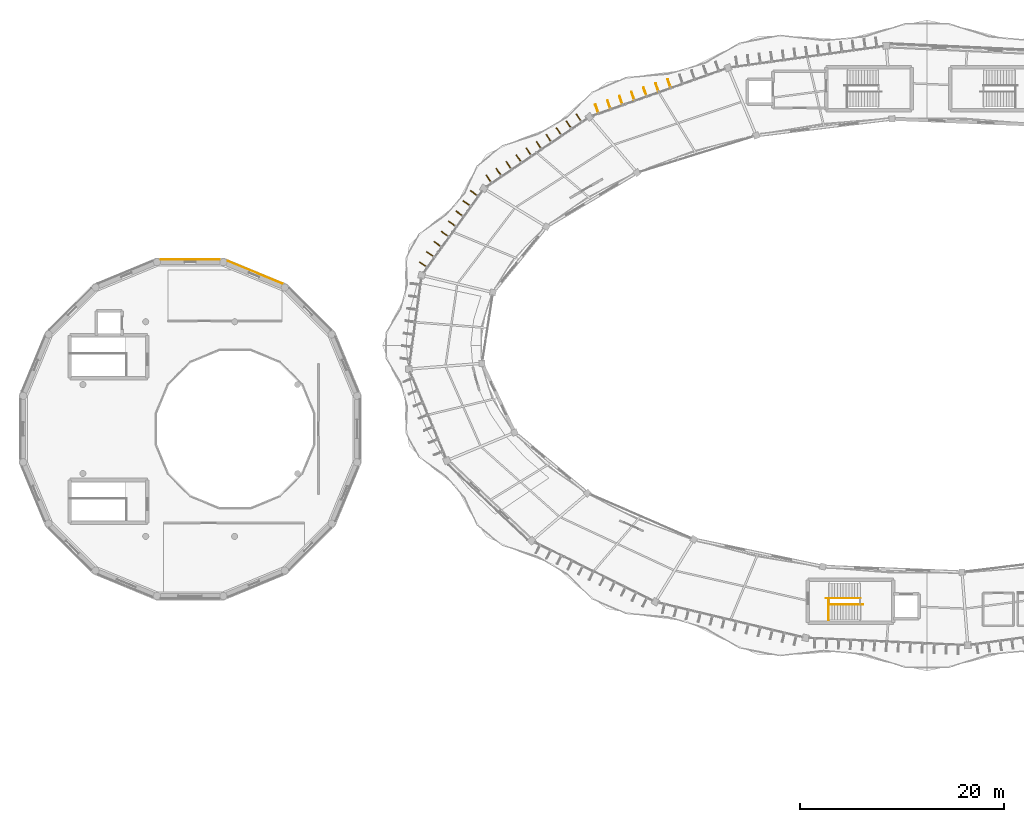
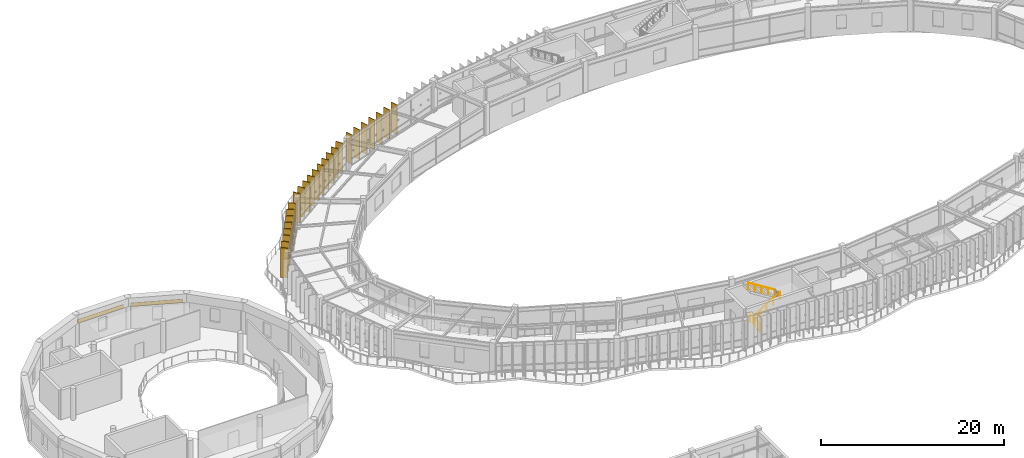
# One storey, part 109 of 114: 25 shading devices, 3 railings, 2 coverings.
"""IFC4 building model written with IfcOpenShell, lengths in metres."""

from ifc_helpers import new_model, si_unit, direction, frame, origin, origin_2d, place, context, subcontext, project, spatial, polyline, rectangle, circle, outline, extrude, material, layer, layer_set, type_object, element, save


model = new_model("IFC4")

# Units and contexts
model_context = context("Model", 3, precision=1e-05, world=origin(), true_north=direction((0.0, 1.0)))
body_context = subcontext(model_context, "Body", "Model", "MODEL_VIEW")
ifc_project = project(units=[si_unit("LENGTHUNIT", "METRE"), si_unit("AREAUNIT", "SQUARE_METRE"), si_unit("VOLUMEUNIT", "CUBIC_METRE"), si_unit("PLANEANGLEUNIT", "RADIAN"), si_unit("MASSUNIT", "GRAM", prefix="KILO"), si_unit("THERMODYNAMICTEMPERATUREUNIT", "KELVIN"), si_unit("POWERUNIT", "WATT")], contexts=[model_context])

# Site, building, storey
site_placement = place(None, origin())
site = spatial("IfcSite", under=ifc_project, at=site_placement, CompositionType="ELEMENT")
building_placement = place(site_placement, origin())
building = spatial("IfcBuilding", under=site, at=building_placement, Name="Darbajah Civic Hall", CompositionType="ELEMENT")
storey_placement = place(building_placement, frame((0.0, 0.0, 13.800048828125)))
storey = spatial("IfcBuildingStorey", under=building, at=storey_placement, Name="L03", CompositionType="ELEMENT", Elevation=13.800048828125)

# Railings
ifc_material_1 = material(Name="Brushed Bronze Stainless Steel", Category="steel")
railing_type_1 = type_object("IfcRailingType", Name="Brushed Bronze Handrail", PredefinedType="HANDRAIL", material=ifc_material_1)
railing_1_placement = place(storey_placement, frame((79.47998046875, 64.39990234375, 0.175048828125)))
element("IfcRailing", 1, at=railing_1_placement, inside=storey, type_object=railing_type_1, Name="ST03 L03 lower flight handrail", PredefinedType="HANDRAIL", context=body_context, shape_type="SweptSolid", body=[
    extrude(circle(Radius=0.02392578125, at=origin_2d()), frame((0.023193359375, 0.0, 0.910400390625), z_axis=(0.845972016735, 0.0, 0.533227293844), x_axis=(0.0, 1.0, 0.0)), (0.0, 0.0, 1.0), 3.917236328125),
    extrude(circle(Radius=0.02099609375, at=origin_2d()), origin(), (0.0, 0.0, 1.0), 0.867919921875),
    extrude(circle(Radius=0.02099609375, at=origin_2d()), frame((0.840087890625, 0.0, 0.529541015625)), (0.0, 0.0, 1.0), 0.867919921875),
    extrude(circle(Radius=0.02099609375, at=origin_2d()), frame((1.68017578125, 0.0, 1.05908203125)), (0.0, 0.0, 1.0), 0.867919921875),
    extrude(circle(Radius=0.02099609375, at=origin_2d()), frame((2.52001953125, 0.0, 1.58837890625)), (0.0, 0.0, 1.0), 0.867919921875),
    extrude(circle(Radius=0.02099609375, at=origin_2d()), frame((3.360107421875, 0.0, 2.117919921875)), (0.0, 0.0, 1.0), 0.867919921875),
])
railing_2_placement = place(storey_placement, frame((82.56005859375, 65.0, 2.27490234375)))
element("IfcRailing", 2, at=railing_2_placement, inside=storey, type_object=railing_type_1, Name="ST03 L03 upper flight handrail", PredefinedType="HANDRAIL", context=body_context, shape_type="SweptSolid", body=[
    extrude(circle(Radius=0.02392578125, at=origin_2d()), frame((-0.023193359375, 0.0, 0.910400390625), z_axis=(-0.845944288966, 0.0, 0.533271281775), x_axis=(0.0, -1.0, 0.0)), (0.0, 0.0, 1.0), 3.91748046875),
    extrude(circle(Radius=0.02099609375, at=origin_2d()), origin(), (0.0, 0.0, 1.0), 0.867919921875),
    extrude(circle(Radius=0.02099609375, at=origin_2d()), frame((-0.840087890625, 0.0, 0.529541015625)), (0.0, 0.0, 1.0), 0.867919921875),
    extrude(circle(Radius=0.02099609375, at=origin_2d()), frame((-1.68017578125, 0.0, 1.05908203125)), (0.0, 0.0, 1.0), 0.867919921875),
    extrude(circle(Radius=0.02099609375, at=origin_2d()), frame((-2.52001953125, 0.0, 1.588623046875)), (0.0, 0.0, 1.0), 0.867919921875),
    extrude(circle(Radius=0.02099609375, at=origin_2d()), frame((-3.360107421875, 0.0, 2.1181640625)), (0.0, 0.0, 1.0), 0.867919921875),
])
ifc_material_2 = material(Name="Brushed Bronze and Laminated Safety Glass", Category="glass")
railing_type_2 = type_object("IfcRailingType", Name="Interior Guard Balustrade", PredefinedType="BALUSTRADE", material=ifc_material_2)
railing_3_placement = place(storey_placement, frame((79.429931640625, 62.85009765625, 0.0)))
element("IfcRailing", 3, at=railing_3_placement, inside=storey, type_object=railing_type_2, Name="ST03 L03 stair-well edge guard", PredefinedType="BALUSTRADE", context=body_context, shape_type="SweptSolid", body=[
    extrude(circle(Radius=0.02392578125, at=origin_2d()), frame((0.0, 0.02734375, 1.09619140625), z_axis=(0.0, 1.0, 0.0), x_axis=(-1.0, 0.0, 0.0)), (0.0, 0.0, 1.0), 2.09521484375),
    extrude(circle(Radius=0.02099609375, at=origin_2d()), origin(), (0.0, 0.0, 1.0), 1.068115234375),
    extrude(circle(Radius=0.02099609375, at=origin_2d()), frame((0.0, 1.074951171875, 0.0)), (0.0, 0.0, 1.0), 1.068115234375),
    extrude(circle(Radius=0.02099609375, at=origin_2d()), frame((0.0, 2.14990234375, 0.0)), (0.0, 0.0, 1.0), 1.068115234375),
])

# Coverings
ifc_material_3 = material(Name="Qatari Desert Limestone Ashlar", Category="masonry")
ifc_layer = layer(ifc_material_3, 0.044921875, Name="Qatari Desert Limestone Ashlar")
ifc_layer_set = layer_set([ifc_layer], Name="Qatari Desert Limestone Ashlar")
covering_type = type_object("IfcCoveringType", Name="Limestone Facade Cladding", PredefinedType="CLADDING", material=ifc_layer_set)
covering_1_placement = place(storey_placement, frame((0.0, 0.0, 2.599853515625)))
element("IfcCovering", 4, at=covering_1_placement, inside=storey, type_object=covering_type, Name="L03 stone frieze cladding EW-V2-L03-02", PredefinedType="CLADDING", context=body_context, shape_type="SweptSolid", body=[
    extrude(outline(polyline([(25.84521484375, 95.8427734375), (20.47509765625, 98.06689453125), (20.492431640625, 98.108642578125), (25.8623046875, 95.88427734375), (25.84521484375, 95.8427734375)])), origin(), (0.0, 0.0, 1.0), 0.5),
])
covering_2_placement = place(storey_placement, frame((0.0, 0.0, 2.599853515625)))
element("IfcCovering", 5, at=covering_2_placement, inside=storey, type_object=covering_type, Name="L03 stone frieze cladding EW-V2-L03-03", PredefinedType="CLADDING", context=body_context, shape_type="SweptSolid", body=[
    extrude(outline(polyline([(19.706298828125, 98.219970703125), (13.893798828125, 98.219970703125), (13.893798828125, 98.264892578125), (19.706298828125, 98.264892578125), (19.706298828125, 98.219970703125)])), origin(), (0.0, 0.0, 1.0), 0.5),
])

# Shading devices
ifc_material_4 = material(Name="Bronze Anodised Aluminium and Teak Composite", Category="aluminium")
shading_device_type = type_object("IfcShadingDeviceType", Name="Vertical Bronze Timber Shading Fin", PredefinedType="USERDEFINED", material=ifc_material_4)
for number, where, z_axis, x_axis, name in (
    (6, (63.797607421875, 115.52392578125, 0.0), (0.0, 0.0, 1.0), (-0.334135882844, 0.94252491309, 0.0), "L03 vertical shading fin VF-06-5"),
    (7, (62.6083984375, 115.128662109375, 0.0), (0.0, 0.0, 1.0), (-0.334135882844, 0.94252491309, 0.0), "L03 vertical shading fin VF-06-6"),
    (8, (61.427734375, 114.710205078125, 0.0), (0.0, 0.0, 1.0), (-0.334135882844, 0.94252491309, 0.0), "L03 vertical shading fin VF-06-7"),
    (9, (60.2470703125, 114.29150390625, 0.0), (0.0, 0.0, 1.0), (-0.334135882844, 0.94252491309, 0.0), "L03 vertical shading fin VF-06-8"),
    (10, (59.066162109375, 113.873046875, 0.0), (0.0, 0.0, 1.0), (-0.334135882844, 0.94252491309, 0.0), "L03 vertical shading fin VF-06-9"),
    (11, (57.885498046875, 113.454345703125, 0.0), (0.0, 0.0, 1.0), (-0.334135882844, 0.94252491309, 0.0), "L03 vertical shading fin VF-06-10"),
    (12, (56.70458984375, 113.035888671875, 0.0), (0.0, 0.0, 1.0), (-0.334135882844, 0.94252491309, 0.0), "L03 vertical shading fin VF-06-11"),
    (13, (54.927490234375, 112.142333984375, 0.0), (0.0, 0.0, 1.0), (-0.560783509816, 0.827962472047, 0.0), "L03 vertical shading fin VF-07-1"),
    (14, (53.9453125, 111.477294921875, 0.0), (0.0, 0.0, 1.0), (-0.560783509816, 0.827962472047, 0.0), "L03 vertical shading fin VF-07-2"),
    (15, (52.96337890625, 110.81201171875, 0.0), (0.0, 0.0, 1.0), (-0.560783509816, 0.827962472047, 0.0), "L03 vertical shading fin VF-07-3"),
    (16, (51.981201171875, 110.14697265625, 0.0), (0.0, 0.0, 1.0), (-0.560783509816, 0.827962472047, 0.0), "L03 vertical shading fin VF-07-4"),
    (17, (51.012939453125, 109.461181640625, 0.0), (0.0, 0.0, 1.0), (-0.560783509816, 0.827962472047, 0.0), "L03 vertical shading fin VF-07-5"),
    (18, (50.016845703125, 108.816650390625, 0.0), (0.0, 0.0, 1.0), (-0.560783509816, 0.827962472047, 0.0), "L03 vertical shading fin VF-07-6"),
    (19, (49.034912109375, 108.151611328125, 0.0), (0.0, 0.0, 1.0), (-0.560783509816, 0.827962472047, 0.0), "L03 vertical shading fin VF-07-7"),
    (20, (48.052490234375, 107.486328125, 0.0), (0.0, 0.0, 1.0), (-0.560783509816, 0.827962472047, 0.0), "L03 vertical shading fin VF-07-8"),
    (21, (47.070556640625, 106.8212890625, 0.0), (0.0, 0.0, 1.0), (-0.560783509816, 0.827962472047, 0.0), "L03 vertical shading fin VF-07-9"),
    (22, (46.08837890625, 106.156005859375, 0.0), (0.0, 0.0, 1.0), (-0.560783509816, 0.827962472047, 0.0), "L03 vertical shading fin VF-07-10"),
    (23, (44.6484375, 104.747802734375, 0.0), (0.0, 0.0, 1.0), (-0.812999149039, 0.582264874145, 0.0), "L03 vertical shading fin VF-08-1"),
    (24, (43.932861328125, 103.74853515625, 0.0), (0.0, 0.0, 1.0), (-0.812999149039, 0.582264874145, 0.0), "L03 vertical shading fin VF-08-2"),
    (25, (43.217041015625, 102.7490234375, 0.0), (0.0, 0.0, 1.0), (-0.812999149039, 0.582264874145, 0.0), "L03 vertical shading fin VF-08-3"),
    (26, (42.50146484375, 101.749755859375, 0.0), (0.0, 0.0, 1.0), (-0.812999149039, 0.582264874145, 0.0), "L03 vertical shading fin VF-08-4"),
    (27, (41.78564453125, 100.750244140625, 0.0), (0.0, 0.0, 1.0), (-0.812999149039, 0.582264874145, 0.0), "L03 vertical shading fin VF-08-5"),
    (28, (41.070068359375, 99.7509765625, 0.0), (0.0, 0.0, 1.0), (-0.812999149039, 0.582264874145, 0.0), "L03 vertical shading fin VF-08-6"),
    (29, (40.354248046875, 98.75146484375, 0.0), (0.0, 0.0, 1.0), (-0.812999149039, 0.582264874145, 0.0), "L03 vertical shading fin VF-08-7"),
    (30, (39.65869140625, 97.73779296875, 0.0), (0.0, 0.0, 1.0), (-0.812999149039, 0.582264874145, 0.0), "L03 vertical shading fin VF-08-8"),
):
    element("IfcShadingDevice", number, at=place(storey_placement, frame(where, z_axis=z_axis, x_axis=x_axis)), inside=storey, type_object=shading_device_type, Name=name, ObjectType="VERTICAL FIN", PredefinedType="USERDEFINED", context=body_context, shape_type="SweptSolid", body=[
        extrude(rectangle(XDim=0.85009765625, YDim=0.090087890625, at=origin_2d()), origin(), (0.0, 0.0, 1.0), 3.919921875),
    ])

save(model, "model.ifc")
